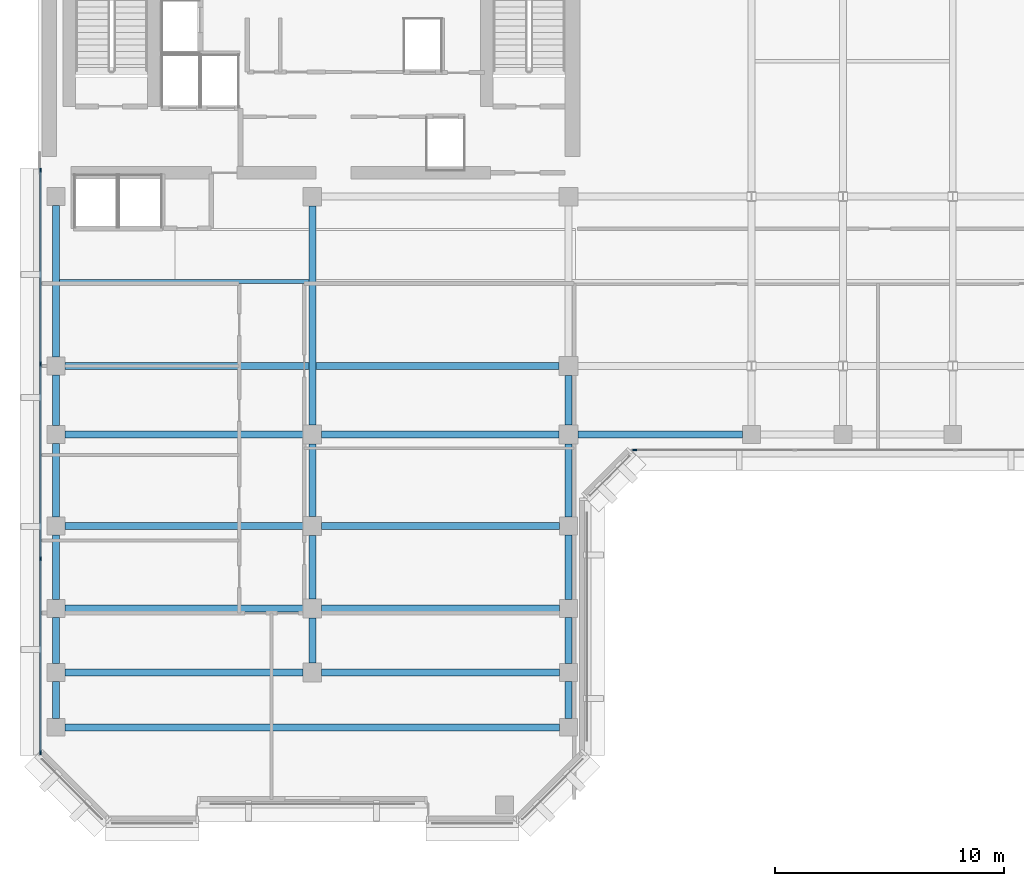
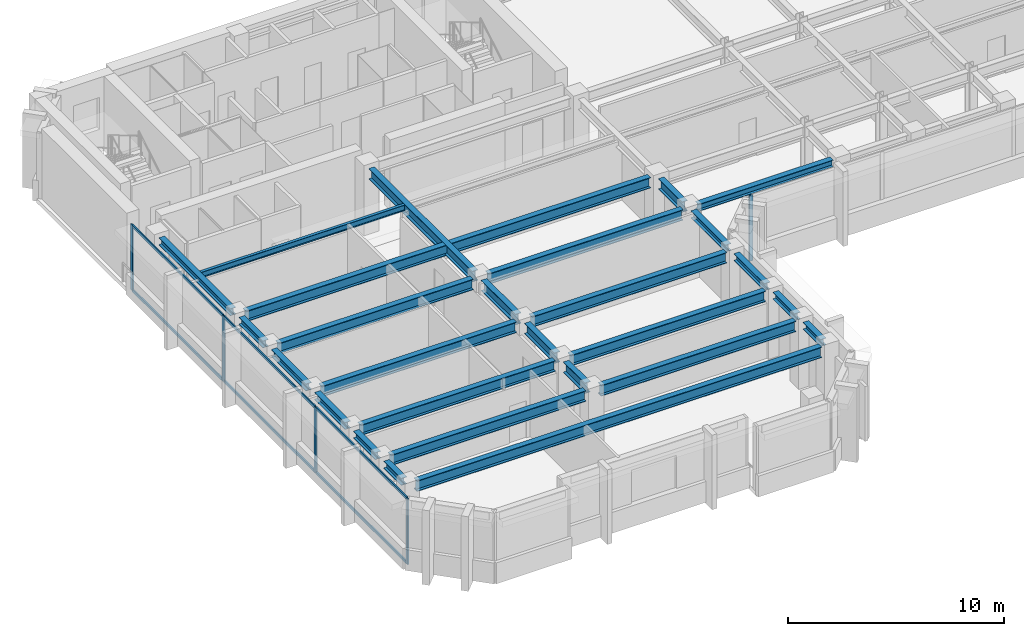
# One storey, part 2 of 12: 27 beams, 11 members, 2 elements without a shape of their own.
"""IFC4 building model written with IfcOpenShell, lengths in metres."""

from ifc_helpers import new_model, si_unit, direction, frame, origin, origin_2d, place, context, subcontext, project, spatial, rectangle, i_section, extrude, material, layer, layer_set, material_profile, profile_set, type_object, element, aggregate, save


model = new_model("IFC4")

# Units and contexts
model_context = context("Model", 3, precision=1e-05, world=origin(), true_north=direction((0.0, 1.0)))
body_context = subcontext(model_context, "Body", "Model", "MODEL_VIEW")
ifc_project = project(units=[si_unit("LENGTHUNIT", "METRE"), si_unit("AREAUNIT", "SQUARE_METRE"), si_unit("VOLUMEUNIT", "CUBIC_METRE"), si_unit("PLANEANGLEUNIT", "RADIAN"), si_unit("MASSUNIT", "GRAM", prefix="KILO")], contexts=[model_context])

# Site, building, storey
site_placement = place(None, origin())
site = spatial("IfcSite", under=ifc_project, at=site_placement, CompositionType="ELEMENT")
building_placement = place(site_placement, origin())
building = spatial("IfcBuilding", under=site, at=building_placement, Name="Kefirva Bronze Tower", CompositionType="ELEMENT")
storey_placement = place(building_placement, frame((0.0, 0.0, 264.330078125)))
storey = spatial("IfcBuildingStorey", under=building, at=storey_placement, Name="L64", CompositionType="ELEMENT", Elevation=264.330078125)

# Curtain wall, member
ifc_material_1 = material(Name="Bronze anodised aluminium", Category="aluminium")
ifc_layer = layer(ifc_material_1, 0.179931640625, Name="Bronze anodised aluminium")
ifc_layer_set = layer_set([ifc_layer], Name="Bronze anodised aluminium")
curtain_wall_type = type_object("IfcCurtainWallType", Name="Unitised Bronze Ribbon Curtain Wall Zone 3", PredefinedType="USERDEFINED", material=ifc_layer_set)
curtain_wall_1_placement = place(storey_placement, origin())
curtain_wall_1 = element("IfcCurtainWall", 1, at=curtain_wall_1_placement, inside=storey, type_object=curtain_wall_type, Name="L64 Curtain Wall 1", ObjectType="UNITISED CURTAIN WALL", PredefinedType="USERDEFINED")
ifc_material_profile_1 = material_profile(ifc_material_1, rectangle(XDim=0.074951171875, YDim=0.179931640625, at=origin_2d()), Name="ALU 75x180")
ifc_profile_set_1 = profile_set([ifc_material_profile_1], Name="Bronze anodised aluminium")
member_type_1 = type_object("IfcMemberType", Name="Bronze Mullion 75x180", PredefinedType="MULLION", material=ifc_profile_set_1)
member_1_placement = place(storey_placement, frame((26.092529296875, 22.1201171875, 0.0), z_axis=(0.0, 0.0, 1.0), x_axis=(0.0, 1.0, 0.0)))
member_1 = element("IfcMember", 2, at=member_1_placement, type_object=member_type_1, Name="CW-03 mullion 1", PredefinedType="MULLION", context=body_context, shape_type="SweptSolid", body=[
    extrude(rectangle(XDim=0.074951171875, YDim=0.179931640625, at=origin_2d()), origin(), (0.0, 0.0, 1.0), 3.7099609375),
])
aggregate(curtain_wall_1, [member_1])

# Curtain wall, members
curtain_wall_2_placement = place(storey_placement, origin())
curtain_wall_2 = element("IfcCurtainWall", 3, at=curtain_wall_2_placement, inside=storey, type_object=curtain_wall_type, Name="L64 Curtain Wall 4", ObjectType="UNITISED CURTAIN WALL", PredefinedType="USERDEFINED")
member_2_placement = place(storey_placement, frame((0.1201171875, 34.357421875, 0.0), z_axis=(0.0, 0.0, 1.0), x_axis=(1.0, 0.0, 0.0)))
member_2 = element("IfcMember", 4, at=member_2_placement, type_object=member_type_1, Name="CW-03 mullion 1", PredefinedType="MULLION", context=body_context, shape_type="SweptSolid", body=[
    extrude(rectangle(XDim=0.074951171875, YDim=0.179931640625, at=origin_2d()), origin(), (0.0, 0.0, 1.0), 3.7099609375),
])
member_3_placement = place(storey_placement, frame((0.1201171875, 25.881591796875, 0.0), z_axis=(0.0, 0.0, 1.0), x_axis=(1.0, 0.0, 0.0)))
member_3 = element("IfcMember", 5, at=member_3_placement, type_object=member_type_1, Name="CW-03 mullion 2", PredefinedType="MULLION", context=body_context, shape_type="SweptSolid", body=[
    extrude(rectangle(XDim=0.074951171875, YDim=0.179931640625, at=origin_2d()), origin(), (0.0, 0.0, 1.0), 3.7099609375),
])
member_4_placement = place(storey_placement, frame((0.1201171875, 17.368408203125, 0.0), z_axis=(0.0, 0.0, 1.0), x_axis=(1.0, 0.0, 0.0)))
member_4 = element("IfcMember", 6, at=member_4_placement, type_object=member_type_1, Name="CW-03 mullion 3", PredefinedType="MULLION", context=body_context, shape_type="SweptSolid", body=[
    extrude(rectangle(XDim=0.074951171875, YDim=0.179931640625, at=origin_2d()), origin(), (0.0, 0.0, 1.0), 3.7099609375),
])
member_5_placement = place(storey_placement, frame((0.1201171875, 8.892578125, 0.0), z_axis=(0.0, 0.0, 1.0), x_axis=(1.0, 0.0, 0.0)))
member_5 = element("IfcMember", 7, at=member_5_placement, type_object=member_type_1, Name="CW-03 mullion 4", PredefinedType="MULLION", context=body_context, shape_type="SweptSolid", body=[
    extrude(rectangle(XDim=0.074951171875, YDim=0.179931640625, at=origin_2d()), origin(), (0.0, 0.0, 1.0), 3.7099609375),
])
ifc_material_profile_2 = material_profile(ifc_material_1, rectangle(XDim=0.074951171875, YDim=0.14990234375, at=origin_2d()), Name="ALU 75x150")
ifc_profile_set_2 = profile_set([ifc_material_profile_2], Name="Bronze anodised aluminium")
member_type_2 = type_object("IfcMemberType", Name="Bronze Transom 75x150", PredefinedType="USERDEFINED", material=ifc_profile_set_2)
member_6_placement = place(storey_placement, frame((0.1201171875, 34.320068359375, 0.037353515625), z_axis=(0.0, -1.0, 0.0), x_axis=(1.0, 0.0, 0.0)))
member_6 = element("IfcMember", 8, at=member_6_placement, type_object=member_type_2, Name="CW-03 transom 1.1", ObjectType="TRANSOM", PredefinedType="USERDEFINED", context=body_context, shape_type="SweptSolid", body=[
    extrude(rectangle(XDim=0.074951171875, YDim=0.14990234375, at=origin_2d()), origin(), (0.0, 0.0, 1.0), 8.40087890625),
])
member_7_placement = place(storey_placement, frame((0.1201171875, 34.320068359375, 3.67236328125), z_axis=(0.0, -1.0, 0.0), x_axis=(1.0, 0.0, 0.0)))
member_7 = element("IfcMember", 9, at=member_7_placement, type_object=member_type_2, Name="CW-03 transom 1.2", ObjectType="TRANSOM", PredefinedType="USERDEFINED", context=body_context, shape_type="SweptSolid", body=[
    extrude(rectangle(XDim=0.074951171875, YDim=0.14990234375, at=origin_2d()), origin(), (0.0, 0.0, 1.0), 8.40087890625),
])
member_8_placement = place(storey_placement, frame((0.1201171875, 25.84423828125, 0.037353515625), z_axis=(0.0, -1.0, 0.0), x_axis=(1.0, 0.0, 0.0)))
member_8 = element("IfcMember", 10, at=member_8_placement, type_object=member_type_2, Name="CW-03 transom 2.1", ObjectType="TRANSOM", PredefinedType="USERDEFINED", context=body_context, shape_type="SweptSolid", body=[
    extrude(rectangle(XDim=0.074951171875, YDim=0.14990234375, at=origin_2d()), origin(), (0.0, 0.0, 1.0), 8.4384765625),
])
member_9_placement = place(storey_placement, frame((0.1201171875, 25.84423828125, 3.67236328125), z_axis=(0.0, -1.0, 0.0), x_axis=(1.0, 0.0, 0.0)))
member_9 = element("IfcMember", 11, at=member_9_placement, type_object=member_type_2, Name="CW-03 transom 2.2", ObjectType="TRANSOM", PredefinedType="USERDEFINED", context=body_context, shape_type="SweptSolid", body=[
    extrude(rectangle(XDim=0.074951171875, YDim=0.14990234375, at=origin_2d()), origin(), (0.0, 0.0, 1.0), 8.4384765625),
])
member_10_placement = place(storey_placement, frame((0.1201171875, 17.330810546875, 0.037353515625), z_axis=(0.0, -1.0, 0.0), x_axis=(1.0, 0.0, 0.0)))
member_10 = element("IfcMember", 12, at=member_10_placement, type_object=member_type_2, Name="CW-03 transom 3.1", ObjectType="TRANSOM", PredefinedType="USERDEFINED", context=body_context, shape_type="SweptSolid", body=[
    extrude(rectangle(XDim=0.074951171875, YDim=0.14990234375, at=origin_2d()), origin(), (0.0, 0.0, 1.0), 8.40087890625),
])
member_11_placement = place(storey_placement, frame((0.1201171875, 17.330810546875, 3.67236328125), z_axis=(0.0, -1.0, 0.0), x_axis=(1.0, 0.0, 0.0)))
member_11 = element("IfcMember", 13, at=member_11_placement, type_object=member_type_2, Name="CW-03 transom 3.2", ObjectType="TRANSOM", PredefinedType="USERDEFINED", context=body_context, shape_type="SweptSolid", body=[
    extrude(rectangle(XDim=0.074951171875, YDim=0.14990234375, at=origin_2d()), origin(), (0.0, 0.0, 1.0), 8.40087890625),
])
aggregate(curtain_wall_2, [member_2, member_3, member_4, member_5, member_6, member_7, member_8, member_9, member_10, member_11])

# Beams
ifc_material_2 = material(Name="Steel S355", Category="steel")
ifc_material_profile_3 = material_profile(ifc_material_2, i_section(OverallWidth=0.159912109375, OverallDepth=0.330078125, WebThickness=0.007568359375, FlangeThickness=0.011474609375, at=origin_2d()), Name="IPE 330")
ifc_profile_set_3 = profile_set([ifc_material_profile_3], Name="Steel S355")
beam_type_1 = type_object("IfcBeamType", Name="Steel Floor Joist IPE 330", PredefinedType="JOIST", material=ifc_profile_set_3)
beam_1_placement = place(storey_placement, frame((0.949951171875, 29.489990234375, 3.544921875), z_axis=(1.0, 0.0, 0.0), x_axis=(0.0, 1.0, 0.0)))
element("IfcBeam", 14, at=beam_1_placement, inside=storey, type_object=beam_type_1, Name="L64 JST-L64-0-294", PredefinedType="JOIST", context=body_context, shape_type="SweptSolid", body=[
    extrude(i_section(OverallWidth=0.159912109375, OverallDepth=0.330078125, WebThickness=0.007568359375, FlangeThickness=0.011474609375, at=origin_2d()), origin(), (0.0, 0.0, 1.0), 10.900146484375),
])
ifc_material_profile_4 = material_profile(ifc_material_2, i_section(OverallWidth=0.300048828125, OverallDepth=0.60009765625, WebThickness=0.015380859375, FlangeThickness=0.030029296875, at=origin_2d()), Name="HEB 600")
ifc_profile_set_4 = profile_set([ifc_material_profile_4], Name="Steel S355")
beam_type_2 = type_object("IfcBeamType", Name="Steel Girder HEB 600", PredefinedType="USERDEFINED", material=ifc_profile_set_4)
beam_2_placement = place(storey_placement, frame((1.18994140625, 10.0, 3.409912109375), z_axis=(1.0, 0.0, 0.0), x_axis=(0.0, 1.0, 0.0)))
element("IfcBeam", 15, at=beam_2_placement, inside=storey, type_object=beam_type_2, Name="L64 BM-L64-EW-0-100", ObjectType="GIRDER", PredefinedType="USERDEFINED", context=body_context, shape_type="SweptSolid", body=[
    extrude(i_section(OverallWidth=0.300048828125, OverallDepth=0.60009765625, WebThickness=0.015380859375, FlangeThickness=0.030029296875, at=origin_2d()), origin(), (0.0, 0.0, 1.0), 21.6201171875),
])
for number, where, z_axis, x_axis, name in (
    (16, (1.18994140625, 12.39990234375, 3.409912109375), (1.0, 0.0, 0.0), (0.0, 1.0, 0.0), "L64 BM-L64-EW-0-124"),
    (17, (12.409912109375, 12.39990234375, 3.409912109375), (1.0, 0.0, 0.0), (0.0, 1.0, 0.0), "L64 BM-L64-EW-12-124"),
    (18, (1.18994140625, 15.199951171875, 3.409912109375), (1.0, 0.0, 0.0), (0.0, 1.0, 0.0), "L64 BM-L64-EW-0-152"),
    (19, (12.409912109375, 15.199951171875, 3.409912109375), (1.0, 0.0, 0.0), (0.0, 1.0, 0.0), "L64 BM-L64-EW-12-152"),
    (20, (1.18994140625, 18.800048828125, 3.409912109375), (1.0, 0.0, 0.0), (0.0, 1.0, 0.0), "L64 BM-L64-EW-0-188"),
    (21, (12.409912109375, 18.800048828125, 3.409912109375), (1.0, 0.0, 0.0), (0.0, 1.0, 0.0), "L64 BM-L64-EW-12-188"),
    (22, (1.18994140625, 22.800048828125, 3.409912109375), (1.0, 0.0, 0.0), (0.0, 1.0, 0.0), "L64 BM-L64-EW-0-228"),
):
    element("IfcBeam", number, at=place(storey_placement, frame(where, z_axis=z_axis, x_axis=x_axis)), inside=storey, type_object=beam_type_2, Name=name, ObjectType="GIRDER", PredefinedType="USERDEFINED", context=body_context, shape_type="SweptSolid", body=[
        extrude(i_section(OverallWidth=0.300048828125, OverallDepth=0.60009765625, WebThickness=0.015380859375, FlangeThickness=0.030029296875, at=origin_2d()), origin(), (0.0, 0.0, 1.0), 10.400146484375),
    ])
beam_3_placement = place(storey_placement, frame((12.409912109375, 22.800048828125, 3.409912109375), z_axis=(1.0, 0.0, 0.0), x_axis=(0.0, 1.0, 0.0)))
element("IfcBeam", 23, at=beam_3_placement, inside=storey, type_object=beam_type_2, Name="L64 BM-L64-EW-12-228", ObjectType="GIRDER", PredefinedType="USERDEFINED", context=body_context, shape_type="SweptSolid", body=[
    extrude(i_section(OverallWidth=0.300048828125, OverallDepth=0.60009765625, WebThickness=0.015380859375, FlangeThickness=0.030029296875, at=origin_2d()), origin(), (0.0, 0.0, 1.0), 10.380126953125),
])
beam_4_placement = place(storey_placement, frame((1.18994140625, 25.800048828125, 3.409912109375), z_axis=(1.0, 0.0, 0.0), x_axis=(0.0, 1.0, 0.0)))
element("IfcBeam", 24, at=beam_4_placement, inside=storey, type_object=beam_type_2, Name="L64 BM-L64-EW-0-258", ObjectType="GIRDER", PredefinedType="USERDEFINED", context=body_context, shape_type="SweptSolid", body=[
    extrude(i_section(OverallWidth=0.300048828125, OverallDepth=0.60009765625, WebThickness=0.015380859375, FlangeThickness=0.030029296875, at=origin_2d()), origin(), (0.0, 0.0, 1.0), 21.60009765625),
])
beam_5_placement = place(storey_placement, frame((12.0, 12.81005859375, 3.409912109375), z_axis=(0.0, 1.0, 0.0), x_axis=(-1.0, 0.0, 0.0)))
element("IfcBeam", 25, at=beam_5_placement, inside=storey, type_object=beam_type_2, Name="L64 BM-L64-NS-120-12", ObjectType="GIRDER", PredefinedType="USERDEFINED", context=body_context, shape_type="SweptSolid", body=[
    extrude(i_section(OverallWidth=0.300048828125, OverallDepth=0.60009765625, WebThickness=0.015380859375, FlangeThickness=0.030029296875, at=origin_2d()), origin(), (0.0, 0.0, 1.0), 1.97998046875),
])
beam_6_placement = place(storey_placement, frame((12.0, 15.610107421875, 3.409912109375), z_axis=(0.0, 1.0, 0.0), x_axis=(-1.0, 0.0, 0.0)))
element("IfcBeam", 26, at=beam_6_placement, inside=storey, type_object=beam_type_2, Name="L64 BM-L64-NS-120-15", ObjectType="GIRDER", PredefinedType="USERDEFINED", context=body_context, shape_type="SweptSolid", body=[
    extrude(i_section(OverallWidth=0.300048828125, OverallDepth=0.60009765625, WebThickness=0.015380859375, FlangeThickness=0.030029296875, at=origin_2d()), origin(), (0.0, 0.0, 1.0), 2.77978515625),
])
beam_7_placement = place(storey_placement, frame((12.0, 19.2099609375, 3.409912109375), z_axis=(0.0, 1.0, 0.0), x_axis=(-1.0, 0.0, 0.0)))
element("IfcBeam", 27, at=beam_7_placement, inside=storey, type_object=beam_type_2, Name="L64 BM-L64-NS-120-18", ObjectType="GIRDER", PredefinedType="USERDEFINED", context=body_context, shape_type="SweptSolid", body=[
    extrude(i_section(OverallWidth=0.300048828125, OverallDepth=0.60009765625, WebThickness=0.015380859375, FlangeThickness=0.030029296875, at=origin_2d()), origin(), (0.0, 0.0, 1.0), 3.179931640625),
])
beam_8_placement = place(storey_placement, frame((12.0, 23.2099609375, 3.409912109375), z_axis=(0.0, 1.0, 0.0), x_axis=(-1.0, 0.0, 0.0)))
element("IfcBeam", 28, at=beam_8_placement, inside=storey, type_object=beam_type_2, Name="L64 BM-L64-NS-120-22", ObjectType="GIRDER", PredefinedType="USERDEFINED", context=body_context, shape_type="SweptSolid", body=[
    extrude(i_section(OverallWidth=0.300048828125, OverallDepth=0.60009765625, WebThickness=0.015380859375, FlangeThickness=0.030029296875, at=origin_2d()), origin(), (0.0, 0.0, 1.0), 9.580078125),
])
beam_9_placement = place(storey_placement, frame((23.199951171875, 23.2099609375, 3.409912109375), z_axis=(0.0, 1.0, 0.0), x_axis=(-1.0, 0.0, 0.0)))
element("IfcBeam", 29, at=beam_9_placement, inside=storey, type_object=beam_type_2, Name="L64 BM-L64-NS-232-22", ObjectType="GIRDER", PredefinedType="USERDEFINED", context=body_context, shape_type="SweptSolid", body=[
    extrude(i_section(OverallWidth=0.300048828125, OverallDepth=0.60009765625, WebThickness=0.015380859375, FlangeThickness=0.030029296875, at=origin_2d()), origin(), (0.0, 0.0, 1.0), 2.179931640625),
])
ifc_material_profile_5 = material_profile(ifc_material_2, i_section(OverallWidth=0.300048828125, OverallDepth=0.39990234375, WebThickness=0.013427734375, FlangeThickness=0.02392578125, at=origin_2d()), Name="HEB 400")
ifc_profile_set_5 = profile_set([ifc_material_profile_5], Name="Steel S355")
beam_type_3 = type_object("IfcBeamType", Name="Steel Spandrel HEB 400 Ext", PredefinedType="SPANDREL", material=ifc_profile_set_5)
beam_10_placement = place(storey_placement, frame((23.610107421875, 22.800048828125, 3.510009765625), z_axis=(1.0, 0.0, 0.0), x_axis=(0.0, 1.0, 0.0)))
element("IfcBeam", 30, at=beam_10_placement, inside=storey, type_object=beam_type_3, Name="L64 BM-L64-EW-23-228", PredefinedType="SPANDREL", context=body_context, shape_type="SweptSolid", body=[
    extrude(i_section(OverallWidth=0.300048828125, OverallDepth=0.39990234375, WebThickness=0.013427734375, FlangeThickness=0.02392578125, at=origin_2d()), origin(), (0.0, 0.0, 1.0), 7.199951171875),
])
beam_11_placement = place(storey_placement, frame((0.800048828125, 10.389892578125, 3.510009765625), z_axis=(0.0, 1.0, 0.0), x_axis=(-1.0, 0.0, 0.0)))
element("IfcBeam", 31, at=beam_11_placement, inside=storey, type_object=beam_type_3, Name="L64 BM-L64-NS-8-10", PredefinedType="SPANDREL", context=body_context, shape_type="SweptSolid", body=[
    extrude(i_section(OverallWidth=0.300048828125, OverallDepth=0.39990234375, WebThickness=0.013427734375, FlangeThickness=0.02392578125, at=origin_2d()), origin(), (0.0, 0.0, 1.0), 1.6201171875),
])
beam_12_placement = place(storey_placement, frame((0.800048828125, 12.7900390625, 3.510009765625), z_axis=(0.0, 1.0, 0.0), x_axis=(-1.0, 0.0, 0.0)))
element("IfcBeam", 32, at=beam_12_placement, inside=storey, type_object=beam_type_3, Name="L64 BM-L64-NS-8-12", PredefinedType="SPANDREL", context=body_context, shape_type="SweptSolid", body=[
    extrude(i_section(OverallWidth=0.300048828125, OverallDepth=0.39990234375, WebThickness=0.013427734375, FlangeThickness=0.02392578125, at=origin_2d()), origin(), (0.0, 0.0, 1.0), 2.02001953125),
])
beam_13_placement = place(storey_placement, frame((0.800048828125, 15.590087890625, 3.510009765625), z_axis=(0.0, 1.0, 0.0), x_axis=(-1.0, 0.0, 0.0)))
element("IfcBeam", 33, at=beam_13_placement, inside=storey, type_object=beam_type_3, Name="L64 BM-L64-NS-8-15", PredefinedType="SPANDREL", context=body_context, shape_type="SweptSolid", body=[
    extrude(i_section(OverallWidth=0.300048828125, OverallDepth=0.39990234375, WebThickness=0.013427734375, FlangeThickness=0.02392578125, at=origin_2d()), origin(), (0.0, 0.0, 1.0), 2.81982421875),
])
beam_14_placement = place(storey_placement, frame((0.800048828125, 19.18994140625, 3.510009765625), z_axis=(0.0, 1.0, 0.0), x_axis=(-1.0, 0.0, 0.0)))
element("IfcBeam", 34, at=beam_14_placement, inside=storey, type_object=beam_type_3, Name="L64 BM-L64-NS-8-18", PredefinedType="SPANDREL", context=body_context, shape_type="SweptSolid", body=[
    extrude(i_section(OverallWidth=0.300048828125, OverallDepth=0.39990234375, WebThickness=0.013427734375, FlangeThickness=0.02392578125, at=origin_2d()), origin(), (0.0, 0.0, 1.0), 3.219970703125),
])
beam_15_placement = place(storey_placement, frame((0.800048828125, 23.18994140625, 3.510009765625), z_axis=(0.0, 1.0, 0.0), x_axis=(-1.0, 0.0, 0.0)))
element("IfcBeam", 35, at=beam_15_placement, inside=storey, type_object=beam_type_3, Name="L64 BM-L64-NS-8-22", PredefinedType="SPANDREL", context=body_context, shape_type="SweptSolid", body=[
    extrude(i_section(OverallWidth=0.300048828125, OverallDepth=0.39990234375, WebThickness=0.013427734375, FlangeThickness=0.02392578125, at=origin_2d()), origin(), (0.0, 0.0, 1.0), 2.219970703125),
])
beam_16_placement = place(storey_placement, frame((0.800048828125, 26.18994140625, 3.510009765625), z_axis=(0.0, 1.0, 0.0), x_axis=(-1.0, 0.0, 0.0)))
element("IfcBeam", 36, at=beam_16_placement, inside=storey, type_object=beam_type_3, Name="L64 BM-L64-NS-8-25", PredefinedType="SPANDREL", context=body_context, shape_type="SweptSolid", body=[
    extrude(i_section(OverallWidth=0.300048828125, OverallDepth=0.39990234375, WebThickness=0.013427734375, FlangeThickness=0.02392578125, at=origin_2d()), origin(), (0.0, 0.0, 1.0), 6.6201171875),
])
beam_17_placement = place(storey_placement, frame((23.199951171875, 10.389892578125, 3.510009765625), z_axis=(0.0, 1.0, 0.0), x_axis=(-1.0, 0.0, 0.0)))
element("IfcBeam", 37, at=beam_17_placement, inside=storey, type_object=beam_type_3, Name="L64 BM-L64-NS-232-10", PredefinedType="SPANDREL", context=body_context, shape_type="SweptSolid", body=[
    extrude(i_section(OverallWidth=0.300048828125, OverallDepth=0.39990234375, WebThickness=0.013427734375, FlangeThickness=0.02392578125, at=origin_2d()), origin(), (0.0, 0.0, 1.0), 1.6201171875),
])
beam_18_placement = place(storey_placement, frame((23.199951171875, 12.7900390625, 3.510009765625), z_axis=(0.0, 1.0, 0.0), x_axis=(-1.0, 0.0, 0.0)))
element("IfcBeam", 38, at=beam_18_placement, inside=storey, type_object=beam_type_3, Name="L64 BM-L64-NS-232-12", PredefinedType="SPANDREL", context=body_context, shape_type="SweptSolid", body=[
    extrude(i_section(OverallWidth=0.300048828125, OverallDepth=0.39990234375, WebThickness=0.013427734375, FlangeThickness=0.02392578125, at=origin_2d()), origin(), (0.0, 0.0, 1.0), 2.02001953125),
])
beam_19_placement = place(storey_placement, frame((23.199951171875, 15.590087890625, 3.510009765625), z_axis=(0.0, 1.0, 0.0), x_axis=(-1.0, 0.0, 0.0)))
element("IfcBeam", 39, at=beam_19_placement, inside=storey, type_object=beam_type_3, Name="L64 BM-L64-NS-232-15", PredefinedType="SPANDREL", context=body_context, shape_type="SweptSolid", body=[
    extrude(i_section(OverallWidth=0.300048828125, OverallDepth=0.39990234375, WebThickness=0.013427734375, FlangeThickness=0.02392578125, at=origin_2d()), origin(), (0.0, 0.0, 1.0), 2.81982421875),
])
beam_20_placement = place(storey_placement, frame((23.199951171875, 19.18994140625, 3.510009765625), z_axis=(0.0, 1.0, 0.0), x_axis=(-1.0, 0.0, 0.0)))
element("IfcBeam", 40, at=beam_20_placement, inside=storey, type_object=beam_type_3, Name="L64 BM-L64-NS-232-18", PredefinedType="SPANDREL", context=body_context, shape_type="SweptSolid", body=[
    extrude(i_section(OverallWidth=0.300048828125, OverallDepth=0.39990234375, WebThickness=0.013427734375, FlangeThickness=0.02392578125, at=origin_2d()), origin(), (0.0, 0.0, 1.0), 3.199951171875),
])

save(model, "model.ifc")
